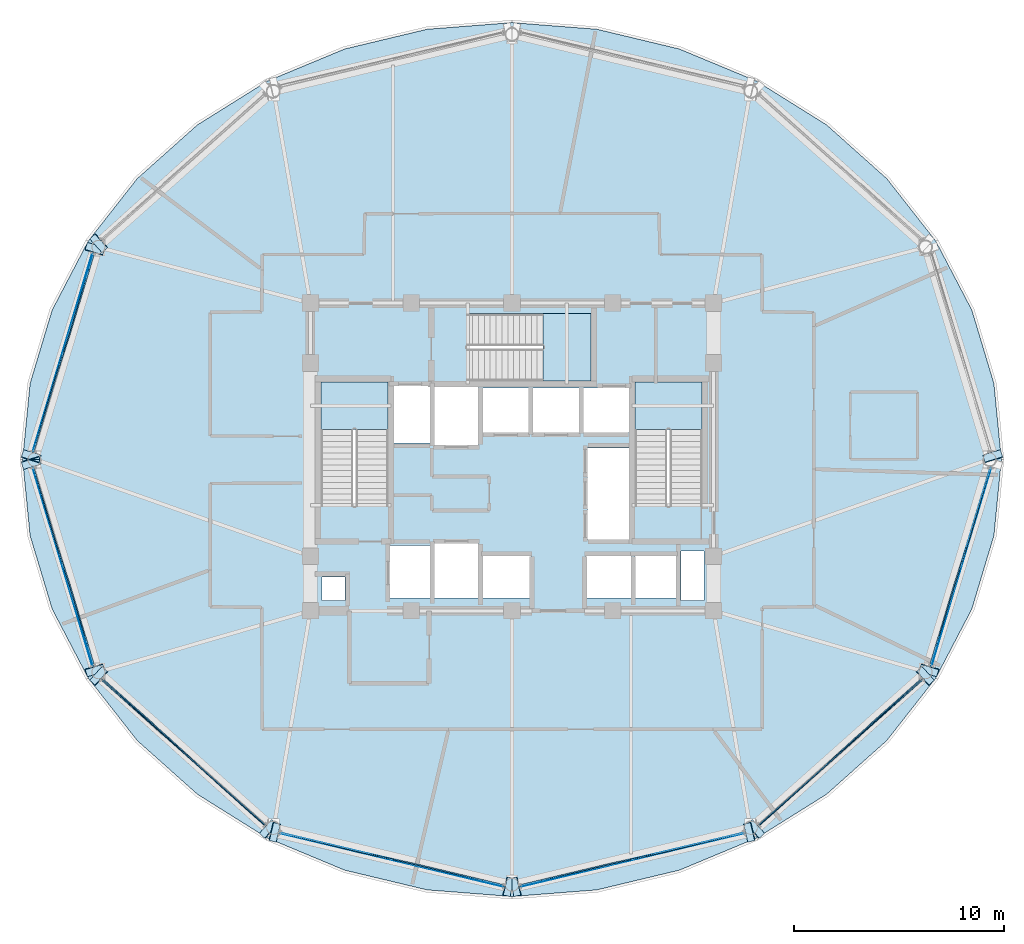
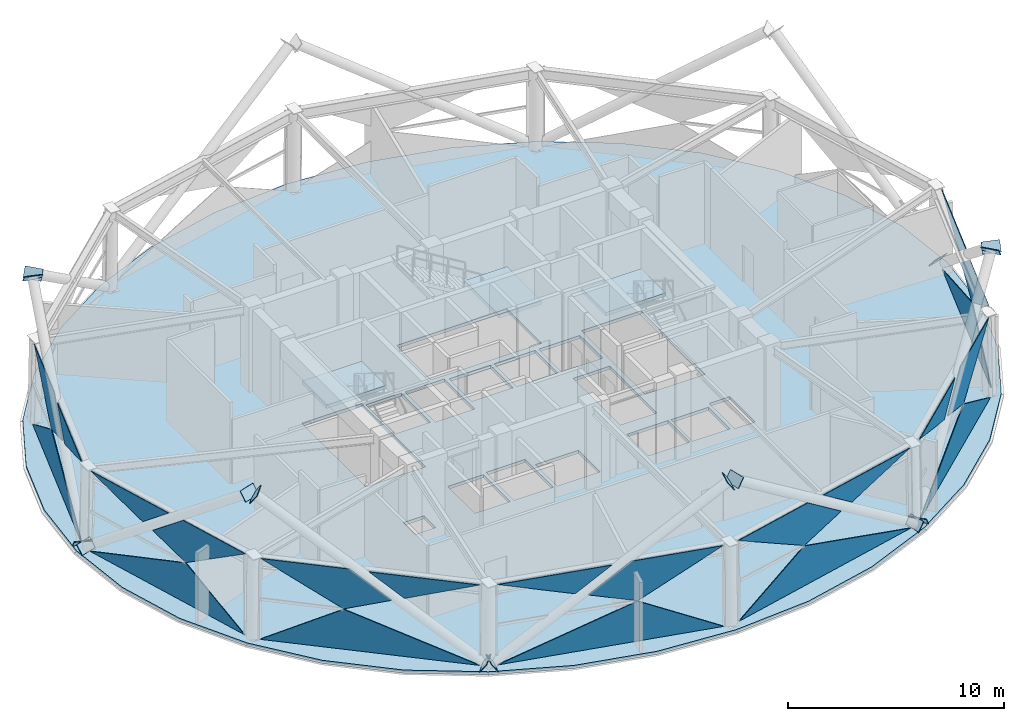
# One storey, part 8 of 16: 36 plates, 4 slabs, 10 elements without a shape of their own.
"""IFC4 building model written with IfcOpenShell, lengths in metres."""

from ifc_helpers import new_model, si_unit, direction, frame, origin, place, context, subcontext, project, spatial, polyline, outline, extrude, material, layer, layer_set, type_object, element, aggregate, save


model = new_model("IFC4")

# Units and contexts
model_context = context("Model", 3, precision=1e-05, world=origin(), true_north=direction((0.0, 1.0)))
body_context = subcontext(model_context, "Body", "Model", "MODEL_VIEW")
ifc_project = project(units=[si_unit("LENGTHUNIT", "METRE"), si_unit("AREAUNIT", "SQUARE_METRE"), si_unit("VOLUMEUNIT", "CUBIC_METRE"), si_unit("PLANEANGLEUNIT", "RADIAN"), si_unit("MASSUNIT", "GRAM", prefix="KILO")], contexts=[model_context])

# Site, building, storey
site_placement = place(None, origin())
site = spatial("IfcSite", under=ifc_project, at=site_placement, CompositionType="ELEMENT")
building_placement = place(site_placement, origin())
building = spatial("IfcBuilding", under=site, at=building_placement, Name="Vantalir Tower", CompositionType="ELEMENT")
storey_placement = place(building_placement, frame((0.0, 0.0, 181.35009765625)))
storey = spatial("IfcBuildingStorey", under=building, at=storey_placement, Name="L45", CompositionType="ELEMENT", Elevation=181.35009765625)

# Curtain wall, plates
ifc_material_1 = material(Name="Champagne-silver PVDF aluminium and double-silver Low-E glass", Category="aluminium")
ifc_layer_1 = layer(ifc_material_1, 0.22998046875)
ifc_layer_set_1 = layer_set([ifc_layer_1], Name="Champagne-silver PVDF aluminium and double-silver Low-E glass")
curtain_wall_type = type_object("IfcCurtainWallType", Name="CW-SKYLOBBY", PredefinedType="USERDEFINED", material=ifc_layer_set_1)
curtain_wall_1_placement = place(storey_placement, origin())
curtain_wall_1 = element("IfcCurtainWall", 1, at=curtain_wall_1_placement, inside=storey, type_object=curtain_wall_type, Name="L45 Quilted Pyramid-Diamond Curtain Wall S06", ObjectType="UNITISED CURTAIN WALL", PredefinedType="USERDEFINED")
ifc_material_2 = material(Name="High-clarity sky-lobby Low-E glass IGU", Category="glass")
ifc_layer_2 = layer(ifc_material_2, 0.035888671875)
ifc_layer_set_2 = layer_set([ifc_layer_2], Name="High-clarity sky-lobby Low-E glass IGU")
plate_type_1 = type_object("IfcPlateType", Name="CWP-IGU-LIGHT-36", PredefinedType="CURTAIN_PANEL", material=ifc_layer_set_2)
plate_1_placement = place(storey_placement, frame((11.5107421875, 34.815185546875, 0.04736328125), z_axis=(-0.957650582327, 0.287888962961, 0.005030623629), x_axis=(-0.287892725492, -0.957662663985, -2.4850473e-05)))
plate_1 = element("IfcPlate", 2, at=plate_1_placement, type_object=plate_type_1, Name="CW-L45-S06 Pyramid Diamond Facet 1L", PredefinedType="CURTAIN_PANEL", context=body_context, shape_type="SweptSolid", body=[
    extrude(outline(polyline([(0.0, 0.0), (9.824385579021772, -1.0299920638612292e-18), (3.7366767735641315, 2.2493889000218026), (0.0, 0.0)])), origin(), (0.0, 0.0, -1.0), 0.035888671875),
])
plate_2_placement = place(storey_placement, frame((11.57470703125, 34.7822265625, 4.572509765625), z_axis=(-0.957337172572, 0.287778890921, 0.026245913065), x_axis=(-0.287878081494, -0.957667066467, -8.50548e-07)))
plate_2 = element("IfcPlate", 3, at=plate_2_placement, type_object=plate_type_1, Name="CW-L45-S06 Pyramid Diamond Facet 2U", PredefinedType="CURTAIN_PANEL", context=body_context, shape_type="SweptSolid", body=[
    extrude(outline(polyline([(0.0, 0.0), (3.950730105154388, -3.469446951953614e-18), (5.8487267460215, -1.4616801904319743), (3.723748621111422, -2.2500428734027684), (0.0, 0.0)])), origin(), (0.0, 0.0, -1.0), 0.035888671875),
])
plate_3_placement = place(storey_placement, frame((10.1396484375, 30.1474609375, 4.57373046875), z_axis=(-0.957333203155, 0.287793042952, 0.026235521055), x_axis=(-0.287892138455, -0.957662840783, 0.0)))
plate_3 = element("IfcPlate", 4, at=plate_3_placement, type_object=plate_type_1, Name="CW-L45-S06 Pyramid Diamond Facet 2U Infill Light", PredefinedType="CURTAIN_PANEL", context=body_context, shape_type="SweptSolid", body=[
    extrude(outline(polyline([(0.0, 0.0), (4.938067663130494, -6.938893903907228e-18), (1.6051260198478174, -1.2362653793027343), (0.0, 0.0)])), origin(), (0.0, 0.0, -1.0), 0.035888671875),
])
aggregate(curtain_wall_1, [plate_1, plate_2, plate_3])

curtain_wall_2_placement = place(storey_placement, origin())
curtain_wall_2 = element("IfcCurtainWall", 5, at=curtain_wall_2_placement, inside=storey, type_object=curtain_wall_type, Name="L45 Quilted Pyramid-Diamond Curtain Wall S07", ObjectType="UNITISED CURTAIN WALL", PredefinedType="USERDEFINED")
plate_4_placement = place(storey_placement, frame((8.682373046875, 24.59326171875, 0.047119140625), z_axis=(-0.957650582327, -0.287888962961, 0.005030623629), x_axis=(0.287892725492, -0.957662663985, 2.4850473e-05)))
plate_4 = element("IfcPlate", 6, at=plate_4_placement, type_object=plate_type_1, Name="CW-L45-S07 Pyramid Diamond Facet 1L", PredefinedType="CURTAIN_PANEL", context=body_context, shape_type="SweptSolid", body=[
    extrude(outline(polyline([(0.0, 0.0), (9.824385579021772, 1.0299920638612292e-18), (6.08770880545764, 2.2493889000218026), (0.0, 0.0)])), origin(), (0.0, 0.0, -1.0), 0.035888671875),
])
plate_5_placement = place(storey_placement, frame((10.437255859375, 19.001220703125, 4.572509765625), z_axis=(-0.957337172572, -0.287778890921, 0.026245913065), x_axis=(0.287878081494, -0.957667066467, 8.50548e-07)))
plate_5 = element("IfcPlate", 7, at=plate_5_placement, type_object=plate_type_1, Name="CW-L45-S07 Pyramid Diamond Facet 2U", PredefinedType="CURTAIN_PANEL", context=body_context, shape_type="SweptSolid", body=[
    extrude(outline(polyline([(0.0, 0.0), (3.950730105154388, 3.469446951953614e-18), (0.22698148404296628, -2.2500428734027684), (-1.8979966408671116, -1.4616801904319743), (0.0, 0.0)])), origin(), (0.0, 0.0, -1.0), 0.035888671875),
])
plate_6_placement = place(storey_placement, frame((8.718017578125, 24.58154296875, 4.57373046875), z_axis=(-0.957333203155, -0.287793042952, 0.026235521055), x_axis=(0.287892138455, -0.957662840783, 0.0)))
plate_6 = element("IfcPlate", 8, at=plate_6_placement, type_object=plate_type_1, Name="CW-L45-S07 Pyramid Diamond Facet 2U Infill Light", PredefinedType="CURTAIN_PANEL", context=body_context, shape_type="SweptSolid", body=[
    extrude(outline(polyline([(0.0, 0.0), (4.938067663130494, 6.938893903907228e-18), (3.332941643282677, -1.2362653793027343), (0.0, 0.0)])), origin(), (0.0, 0.0, -1.0), 0.035888671875),
])
aggregate(curtain_wall_2, [plate_4, plate_5, plate_6])

curtain_wall_3_placement = place(storey_placement, origin())
curtain_wall_3 = element("IfcCurtainWall", 9, at=curtain_wall_3_placement, inside=storey, type_object=curtain_wall_type, Name="L45 Quilted Pyramid-Diamond Curtain Wall S08", ObjectType="UNITISED CURTAIN WALL", PredefinedType="USERDEFINED")
plate_7_placement = place(storey_placement, frame((11.9501953125, 14.495361328125, 0.047119140625), z_axis=(-0.66529977249, -0.746563470884, 0.004381400138), x_axis=(0.746570568102, -0.665306234972, -2.3480015e-05)))
plate_7 = element("IfcPlate", 10, at=plate_7_placement, type_object=plate_type_1, Name="CW-L45-S08 Pyramid Diamond Facet 1L", PredefinedType="CURTAIN_PANEL", context=body_context, shape_type="SweptSolid", body=[
    extrude(outline(polyline([(0.0, 0.0), (10.39780516962434, -4.391018798566293e-18), (3.9565602975785525, 2.2498703552015504), (0.0, 0.0)])), origin(), (0.0, 0.0, -1.0), 0.035888671875),
])
plate_8_placement = place(storey_placement, frame((12.01416015625, 14.5283203125, 4.572509765625), z_axis=(-0.665089926382, -0.746335563904, 0.025270850345), x_axis=(0.746574972522, -0.665301290375, 5.8557415e-05)))
plate_8 = element("IfcPlate", 11, at=plate_8_placement, type_object=plate_type_1, Name="CW-L45-S08 Pyramid Diamond Facet 2U", PredefinedType="CURTAIN_PANEL", context=body_context, shape_type="SweptSolid", body=[
    extrude(outline(polyline([(0.0, 0.0), (4.1896639254692545, 1.2739375526704677e-17), (6.186570093083291, -1.4610339444227927), (3.9308566706425703, -2.2504594124690516), (0.0, 0.0)])), origin(), (0.0, 0.0, -1.0), 0.035888671875),
])
plate_9_placement = place(storey_placement, frame((15.81005859375, 11.092041015625, 4.57373046875), z_axis=(-0.665111490281, -0.746316276484, 0.025272929238), x_axis=(0.74655551728, -0.665323122587, 4.6578208e-05)))
plate_9 = element("IfcPlate", 12, at=plate_9_placement, type_object=plate_type_1, Name="CW-L45-S08 Pyramid Diamond Facet 2U Infill Light", PredefinedType="CURTAIN_PANEL", context=body_context, shape_type="SweptSolid", body=[
    extrude(outline(polyline([(0.0, 0.0), (5.241520351703728, -8.998878031629687e-18), (1.6960296798621823, -1.240709671291705), (0.0, 0.0)])), origin(), (0.0, 0.0, -1.0), 0.035888671875),
])
aggregate(curtain_wall_3, [plate_7, plate_8, plate_9])

curtain_wall_4_placement = place(storey_placement, origin())
curtain_wall_4 = element("IfcCurtainWall", 13, at=curtain_wall_4_placement, inside=storey, type_object=curtain_wall_type, Name="L45 Quilted Pyramid-Diamond Curtain Wall S09", ObjectType="UNITISED CURTAIN WALL", PredefinedType="USERDEFINED")
plate_10_placement = place(storey_placement, frame((20.443359375, 7.1962890625, 0.046875), z_axis=(-0.232257506184, -0.972647683537, 0.003596460953), x_axis=(0.972653992364, -0.232258930164, 2.2311136e-05)))
plate_10 = element("IfcPlate", 14, at=plate_10_placement, type_object=plate_type_1, Name="CW-L45-S09 Pyramid Diamond Facet 1L", PredefinedType="CURTAIN_PANEL", context=body_context, shape_type="SweptSolid", body=[
    extrude(outline(polyline([(0.0, 0.0), (10.94254547910628, -6.505213034913027e-19), (6.780262281957122, 2.249863275713853), (0.0, 0.0)])), origin(), (0.0, 0.0, -1.0), 0.035888671875),
])
plate_11_placement = place(storey_placement, frame((26.782470703125, 5.74853515625, 4.57275390625), z_axis=(-0.232166412142, -0.972359671957, 0.024807769445), x_axis=(0.972659013302, -0.232237903541, -7.39582e-07)))
plate_11 = element("IfcPlate", 15, at=plate_11_placement, type_object=plate_type_1, Name="CW-L45-S09 Pyramid Diamond Facet 2U", PredefinedType="CURTAIN_PANEL", context=body_context, shape_type="SweptSolid", body=[
    extrude(outline(polyline([(0.0, 0.0), (4.425219721295982, 3.469446951953614e-18), (0.2781401204367248, -2.2504482517808433), (-2.0949771519210647, -1.4601710014275817), (0.0, 0.0)])), origin(), (0.0, 0.0, -1.0), 0.035888671875),
])
plate_12_placement = place(storey_placement, frame((20.470947265625, 7.21435546875, 4.573974609375), z_axis=(-0.232185028392, -0.972359673645, 0.024632857319), x_axis=(0.972654556851, -0.232256563048, -4.4247773e-05)))
plate_12 = element("IfcPlate", 16, at=plate_12_placement, type_object=plate_type_1, Name="CW-L45-S09 Pyramid Diamond Facet 2U Infill Light", PredefinedType="CURTAIN_PANEL", context=body_context, shape_type="SweptSolid", body=[
    extrude(outline(polyline([(0.0, 0.0), (5.5175798858369705, 9.486769009248164e-19), (3.7337806331329984, -1.2433761359092874), (0.0, 0.0)])), origin(), (0.0, 0.0, -1.0), 0.035888671875),
])
aggregate(curtain_wall_4, [plate_10, plate_11, plate_12])

curtain_wall_5_placement = place(storey_placement, origin())
curtain_wall_5 = element("IfcCurtainWall", 17, at=curtain_wall_5_placement, inside=storey, type_object=curtain_wall_type, Name="L45 Quilted Pyramid-Diamond Curtain Wall S10", ObjectType="UNITISED CURTAIN WALL", PredefinedType="USERDEFINED")
plate_13_placement = place(storey_placement, frame((31.913330078125, 4.65478515625, 0.047119140625), z_axis=(0.232257506184, -0.972647683537, 0.003596460953), x_axis=(0.972653992364, 0.232258930164, -2.2311136e-05)))
plate_13 = element("IfcPlate", 18, at=plate_13_placement, type_object=plate_type_1, Name="CW-L45-S10 Pyramid Diamond Facet 1L", PredefinedType="CURTAIN_PANEL", context=body_context, shape_type="SweptSolid", body=[
    extrude(outline(polyline([(0.0, 0.0), (10.94254547910628, 6.505213034913027e-19), (4.162283197149159, 2.2498632757138535), (0.0, 0.0)])), origin(), (0.0, 0.0, -1.0), 0.035888671875),
])
plate_14_placement = place(storey_placement, frame((31.913330078125, 4.720703125, 4.57275390625), z_axis=(0.232166412142, -0.972359671957, 0.024807769445), x_axis=(0.972659013302, 0.232237903541, 7.39582e-07)))
plate_14 = element("IfcPlate", 19, at=plate_14_placement, type_object=plate_type_1, Name="CW-L45-S10 Pyramid Diamond Facet 2U", PredefinedType="CURTAIN_PANEL", context=body_context, shape_type="SweptSolid", body=[
    extrude(outline(polyline([(0.0, 0.0), (4.425219721295982, -3.469446951953614e-18), (6.5201968732170466, -1.4601710014275817), (4.147079600859256, -2.2504482517808433), (0.0, 0.0)])), origin(), (0.0, 0.0, -1.0), 0.035888671875),
])
plate_15_placement = place(storey_placement, frame((37.162353515625, 5.932861328125, 4.57373046875), z_axis=(0.232185028392, -0.972359673645, 0.024632857319), x_axis=(0.972654556851, 0.232256563048, 4.4247773e-05)))
plate_15 = element("IfcPlate", 20, at=plate_15_placement, type_object=plate_type_1, Name="CW-L45-S10 Pyramid Diamond Facet 2U Infill Light", PredefinedType="CURTAIN_PANEL", context=body_context, shape_type="SweptSolid", body=[
    extrude(outline(polyline([(0.0, 0.0), (5.5175798858369705, -9.486769009248164e-19), (1.783799252703972, -1.2433761359092874), (0.0, 0.0)])), origin(), (0.0, 0.0, -1.0), 0.035888671875),
])
aggregate(curtain_wall_5, [plate_13, plate_14, plate_15])

curtain_wall_6_placement = place(storey_placement, origin())
curtain_wall_6 = element("IfcCurtainWall", 21, at=curtain_wall_6_placement, inside=storey, type_object=curtain_wall_type, Name="L45 Quilted Pyramid-Diamond Curtain Wall S11", ObjectType="UNITISED CURTAIN WALL", PredefinedType="USERDEFINED")
plate_16_placement = place(storey_placement, frame((43.287109375, 7.57763671875, 0.046875), z_axis=(0.66529977249, -0.746563470884, 0.004381400138), x_axis=(0.746570568102, 0.665306234972, 2.3480015e-05)))
plate_16 = element("IfcPlate", 22, at=plate_16_placement, type_object=plate_type_1, Name="CW-L45-S11 Pyramid Diamond Facet 1L", PredefinedType="CURTAIN_PANEL", context=body_context, shape_type="SweptSolid", body=[
    extrude(outline(polyline([(0.0, 0.0), (10.39780516962434, 4.391018798566293e-18), (6.441244872045787, 2.2498703552015504), (0.0, 0.0)])), origin(), (0.0, 0.0, -1.0), 0.035888671875),
])
plate_17_placement = place(storey_placement, frame((47.85791015625, 11.740966796875, 4.57275390625), z_axis=(0.665089926382, -0.746335563904, 0.025270850345), x_axis=(0.746574972522, 0.665301290375, -5.8557415e-05)))
plate_17 = element("IfcPlate", 23, at=plate_17_placement, type_object=plate_type_1, Name="CW-L45-S11 Pyramid Diamond Facet 2U", PredefinedType="CURTAIN_PANEL", context=body_context, shape_type="SweptSolid", body=[
    extrude(outline(polyline([(0.0, 0.0), (4.1896639254692545, -1.2739375526704677e-17), (0.25880725482668315, -2.250459412469052), (-1.9969061676140374, -1.4610339444227929), (0.0, 0.0)])), origin(), (0.0, 0.0, -1.0), 0.035888671875),
])
plate_18_placement = place(storey_placement, frame((43.27685546875, 7.604736328125, 4.573974609375), z_axis=(0.665111490281, -0.746316276484, 0.025272929238), x_axis=(0.74655551728, 0.665323122587, -4.6578208e-05)))
plate_18 = element("IfcPlate", 24, at=plate_18_placement, type_object=plate_type_1, Name="CW-L45-S11 Pyramid Diamond Facet 2U Infill Light", PredefinedType="CURTAIN_PANEL", context=body_context, shape_type="SweptSolid", body=[
    extrude(outline(polyline([(0.0, 0.0), (5.241520351703728, 8.998878031629687e-18), (3.5454906718415455, -1.240709671291705), (0.0, 0.0)])), origin(), (0.0, 0.0, -1.0), 0.035888671875),
])
aggregate(curtain_wall_6, [plate_16, plate_17, plate_18])

curtain_wall_7_placement = place(storey_placement, origin())
curtain_wall_7 = element("IfcCurtainWall", 25, at=curtain_wall_7_placement, inside=storey, type_object=curtain_wall_type, Name="L45 Quilted Pyramid-Diamond Curtain Wall S12", ObjectType="UNITISED CURTAIN WALL", PredefinedType="USERDEFINED")
plate_19_placement = place(storey_placement, frame((51.4892578125, 15.184814453125, 0.04736328125), z_axis=(0.957650582327, -0.287888962961, 0.005030623629), x_axis=(0.287892725492, 0.957662663985, -2.4850473e-05)))
plate_19 = element("IfcPlate", 26, at=plate_19_placement, type_object=plate_type_1, Name="CW-L45-S12 Pyramid Diamond Facet 1L", PredefinedType="CURTAIN_PANEL", context=body_context, shape_type="SweptSolid", body=[
    extrude(outline(polyline([(0.0, 0.0), (9.824385579021772, -1.0299920638612292e-18), (3.7366767735641315, 2.2493889000218026), (0.0, 0.0)])), origin(), (0.0, 0.0, -1.0), 0.035888671875),
])
plate_20_placement = place(storey_placement, frame((51.42529296875, 15.2177734375, 4.572509765625), z_axis=(0.957337172572, -0.287778890921, 0.026245913065), x_axis=(0.287878081494, 0.957667066467, -8.50548e-07)))
plate_20 = element("IfcPlate", 27, at=plate_20_placement, type_object=plate_type_1, Name="CW-L45-S12 Pyramid Diamond Facet 2U", PredefinedType="CURTAIN_PANEL", context=body_context, shape_type="SweptSolid", body=[
    extrude(outline(polyline([(0.0, 0.0), (3.950730105154388, -3.469446951953614e-18), (5.8487267460215, -1.4616801904319743), (3.723748621111422, -2.2500428734027684), (0.0, 0.0)])), origin(), (0.0, 0.0, -1.0), 0.035888671875),
])
plate_21_placement = place(storey_placement, frame((52.8603515625, 19.8525390625, 4.57373046875), z_axis=(0.957333203155, -0.287793042952, 0.026235521055), x_axis=(0.287892138455, 0.957662840783, 0.0)))
plate_21 = element("IfcPlate", 28, at=plate_21_placement, type_object=plate_type_1, Name="CW-L45-S12 Pyramid Diamond Facet 2U Infill Light", PredefinedType="CURTAIN_PANEL", context=body_context, shape_type="SweptSolid", body=[
    extrude(outline(polyline([(0.0, 0.0), (4.938067663130494, -6.938893903907228e-18), (1.6051260198478174, -1.2362653793027343), (0.0, 0.0)])), origin(), (0.0, 0.0, -1.0), 0.035888671875),
])
aggregate(curtain_wall_7, [plate_19, plate_20, plate_21])

# Plates
ifc_material_3 = material(Name="Steel S460", Category="steel")
ifc_layer_3 = layer(ifc_material_3, 0.035888671875)
ifc_layer_set_3 = layer_set([ifc_layer_3], Name="Steel S460")
plate_type_2 = type_object("IfcPlateType", Name="PLT-KN-Z2", PredefinedType="USERDEFINED", material=ifc_layer_set_3)
plate_22_placement = place(storey_placement, frame((54.75537109375, 25.47119140625, -0.0107421875), z_axis=(-0.233090955748, 0.757188441821, 0.61019199431), x_axis=(-0.955754530823, -0.29416538325, -6.4092727e-05)))
element("IfcPlate", 29, at=plate_22_placement, inside=storey, type_object=plate_type_2, Name="Node Cap Plate MEM-DG-L45-R01L Start", ObjectType="FLANGE_PLATE", PredefinedType="USERDEFINED", context=body_context, shape_type="SweptSolid", body=[
    extrude(outline(polyline([(0.0, 0.0), (0.8799779455399647, -2.7755575615628914e-17), (0.8800856527035597, 0.5800277565836442), (3.588944307486943e-05, 0.5798853716464692), (0.0, 0.0)])), origin(), (0.0, 0.0, -1.0), 0.035888671875),
])
plate_23_placement = place(storey_placement, frame((50.875244140625, 14.916748046875, 7.94287109375), z_axis=(-0.233137047326, -0.757338168825, 0.609988536945), x_axis=(0.955725494629, -0.294259706399, -6.4078795e-05)))
element("IfcPlate", 30, at=plate_23_placement, inside=storey, type_object=plate_type_2, Name="Node Cap Plate MEM-DG-L45-R01R End", ObjectType="FLANGE_PLATE", PredefinedType="USERDEFINED", context=body_context, shape_type="SweptSolid", body=[
    extrude(outline(polyline([(0.0, 0.0), (0.8800497747769306, 0.0), (0.8798482238178725, 0.580221148244098), (-0.000129710210425589, 0.5800788224000919), (0.0, 0.0)])), origin(), (0.0, 0.0, -1.0), 0.035888671875),
])
plate_24_placement = place(storey_placement, frame((11.39013671875, 35.5048828125, 7.9423828125), z_axis=(-0.59934813753, -0.540566562301, 0.590397833466), x_axis=(0.66972972392, -0.742604938671, -4.4268734e-05)))
element("IfcPlate", 31, at=plate_24_placement, inside=storey, type_object=plate_type_2, Name="Node Cap Plate MEM-DG-L45-R13L End", ObjectType="FLANGE_PLATE", PredefinedType="USERDEFINED", context=body_context, shape_type="SweptSolid", body=[
    extrude(outline(polyline([(0.0, 0.0), (0.8800490660070104, -5.551115123125783e-17), (0.8799818840104608, 0.5802174334096007), (0.00011411803730558558, 0.5801209049804927), (0.0, 0.0)])), origin(), (0.0, 0.0, -1.0), 0.035888671875),
])
plate_25_placement = place(storey_placement, frame((8.24462890625, 24.52880859375, -0.0107421875), z_axis=(0.233090955748, -0.757188441821, 0.61019199431), x_axis=(0.955754530823, 0.29416538325, -6.4092727e-05)))
element("IfcPlate", 32, at=plate_25_placement, inside=storey, type_object=plate_type_2, Name="Node Cap Plate MEM-DG-L45-R19L Start", ObjectType="FLANGE_PLATE", PredefinedType="USERDEFINED", context=body_context, shape_type="SweptSolid", body=[
    extrude(outline(polyline([(0.0, 0.0), (0.8799779455399647, -2.7755575615628914e-17), (0.8800856527035597, 0.5800277565836442), (3.588944307486943e-05, 0.5798853716464692), (0.0, 0.0)])), origin(), (0.0, 0.0, -1.0), 0.035888671875),
])
plate_26_placement = place(storey_placement, frame((11.28369140625, 14.65771484375, 7.94287109375), z_axis=(0.233137047326, -0.757338168825, 0.609988536945), x_axis=(0.955725494629, 0.294259706399, 6.4078795e-05)))
element("IfcPlate", 33, at=plate_26_placement, inside=storey, type_object=plate_type_2, Name="Node Cap Plate MEM-DG-L45-R19L End", ObjectType="FLANGE_PLATE", PredefinedType="USERDEFINED", context=body_context, shape_type="SweptSolid", body=[
    extrude(outline(polyline([(0.0, 0.0), (0.8800497747769306, 0.0), (0.8801794849873562, 0.5800788224000918), (0.00020155095905806804, 0.580221148244098), (0.0, 0.0)])), origin(), (0.0, 0.0, -1.0), 0.035888671875),
])
plate_27_placement = place(storey_placement, frame((9.085693359375, 25.21240234375, -0.0107421875), z_axis=(0.233090955748, 0.757188441821, 0.61019199431), x_axis=(-0.955754530823, 0.29416538325, 6.4092727e-05)))
element("IfcPlate", 34, at=plate_27_placement, inside=storey, type_object=plate_type_2, Name="Node Cap Plate MEM-DG-L45-R19R Start", ObjectType="FLANGE_PLATE", PredefinedType="USERDEFINED", context=body_context, shape_type="SweptSolid", body=[
    extrude(outline(polyline([(0.0, 0.0), (0.8799779455399647, 2.7755575615628914e-17), (0.8799420560968898, 0.5798853716464692), (-0.00010770716359497314, 0.5800277565836444), (0.0, 0.0)])), origin(), (0.0, 0.0, -1.0), 0.035888671875),
])
plate_28_placement = place(storey_placement, frame((12.124755859375, 35.083251953125, 7.94287109375), z_axis=(0.233137047326, 0.757338168825, 0.609988536945), x_axis=(-0.955725494629, 0.294259706399, -6.4078795e-05)))
element("IfcPlate", 35, at=plate_28_placement, inside=storey, type_object=plate_type_2, Name="Node Cap Plate MEM-DG-L45-R19R End", ObjectType="FLANGE_PLATE", PredefinedType="USERDEFINED", context=body_context, shape_type="SweptSolid", body=[
    extrude(outline(polyline([(0.0, 0.0), (0.8800497747769306, 0.0), (0.8798482238178725, 0.580221148244098), (-0.000129710210425589, 0.5800788224000919), (0.0, 0.0)])), origin(), (0.0, 0.0, -1.0), 0.035888671875),
])
plate_29_placement = place(storey_placement, frame((20.27392578125, 6.786376953125, -0.027587890625), z_axis=(0.798787549976, -0.186129672662, 0.572096316154), x_axis=(0.226945842217, 0.973907379827, -1.4772812e-05)))
element("IfcPlate", 36, at=plate_29_placement, inside=storey, type_object=plate_type_2, Name="Node Cap Plate MEM-DG-L45-R25L Start", ObjectType="FLANGE_PLATE", PredefinedType="USERDEFINED", context=body_context, shape_type="SweptSolid", body=[
    extrude(outline(polyline([(0.0, 0.0), (0.8798966313787882, 1.3877787807814457e-17), (0.8800021716769185, 0.5801645236146671), (-0.00013223005827271567, 0.5801328227649022), (0.0, 0.0)])), origin(), (0.0, 0.0, -1.0), 0.035888671875),
])
plate_30_placement = place(storey_placement, frame((31.408203125, 4.191650390625, 7.942138671875), z_axis=(0.798974841024, -0.186173314331, 0.571820514184), x_axis=(0.226945832543, 0.973907382082, -1.4769152e-05)))
element("IfcPlate", 37, at=plate_30_placement, inside=storey, type_object=plate_type_2, Name="Node Cap Plate MEM-DG-L45-R25L End", ObjectType="FLANGE_PLATE", PredefinedType="USERDEFINED", context=body_context, shape_type="SweptSolid", body=[
    extrude(outline(polyline([(0.0, 0.0), (0.8798966313786505, -1.3877787807814457e-17), (0.8800575834125799, 0.580028521884285), (-7.68183230240713e-05, 0.5799968363171859), (0.0, 0.0)])), origin(), (0.0, 0.0, -1.0), 0.035888671875),
])
plate_31_placement = place(storey_placement, frame((20.060791015625, 7.859619140625, -0.01953125), z_axis=(-0.599239158898, 0.54046827184, 0.590598406346), x_axis=(-0.669777838343, -0.742561543108, -4.4284844e-05)))
element("IfcPlate", 38, at=plate_31_placement, inside=storey, type_object=plate_type_2, Name="Node Cap Plate MEM-DG-L45-R25R Start", ObjectType="FLANGE_PLATE", PredefinedType="USERDEFINED", context=body_context, shape_type="SweptSolid", body=[
    extrude(outline(polyline([(0.0, 0.0), (0.8798677712690197, 5.551115123125783e-17), (0.8798712988379882, 0.5800204226768841), (-0.00017776187026711282, 0.5799238415584409), (0.0, 0.0)])), origin(), (0.0, 0.0, -1.0), 0.035888671875),
])
plate_32_placement = place(storey_placement, frame((11.9794921875, 15.148681640625, 7.9423828125), z_axis=(-0.59934813753, 0.540566562301, 0.590397833466), x_axis=(-0.66972972392, -0.742604938671, 4.4268734e-05)))
element("IfcPlate", 39, at=plate_32_placement, inside=storey, type_object=plate_type_2, Name="Node Cap Plate MEM-DG-L45-R25R End", ObjectType="FLANGE_PLATE", PredefinedType="USERDEFINED", context=body_context, shape_type="SweptSolid", body=[
    extrude(outline(polyline([(0.0, 0.0), (0.8800490660070104, 5.551115123125783e-17), (0.8799349479697048, 0.5801209049804927), (6.718199654957845e-05, 0.5802174334096009), (0.0, 0.0)])), origin(), (0.0, 0.0, -1.0), 0.035888671875),
])
plate_33_placement = place(storey_placement, frame((43.528564453125, 7.206298828125, -0.01953125), z_axis=(0.599239158898, 0.54046827184, 0.590598406346), x_axis=(-0.669777838343, 0.742561543108, 4.4284844e-05)))
element("IfcPlate", 40, at=plate_33_placement, inside=storey, type_object=plate_type_2, Name="Node Cap Plate MEM-DG-L45-R31L Start", ObjectType="FLANGE_PLATE", PredefinedType="USERDEFINED", context=body_context, shape_type="SweptSolid", body=[
    extrude(outline(polyline([(0.0, 0.0), (0.8798677712690197, -5.551115123125783e-17), (0.8800455331392868, 0.5799238415584409), (-3.527568968369657e-06, 0.5800204226768841), (0.0, 0.0)])), origin(), (0.0, 0.0, -1.0), 0.035888671875),
])
plate_34_placement = place(storey_placement, frame((51.60986328125, 14.4951171875, 7.9423828125), z_axis=(0.59934813753, 0.540566562301, 0.590397833466), x_axis=(-0.66972972392, 0.742604938671, -4.4268734e-05)))
element("IfcPlate", 41, at=plate_34_placement, inside=storey, type_object=plate_type_2, Name="Node Cap Plate MEM-DG-L45-R31L End", ObjectType="FLANGE_PLATE", PredefinedType="USERDEFINED", context=body_context, shape_type="SweptSolid", body=[
    extrude(outline(polyline([(0.0, 0.0), (0.8800490660070104, -5.551115123125783e-17), (0.8799818840104608, 0.5802174334096007), (0.00011411803730558558, 0.5801209049804927), (0.0, 0.0)])), origin(), (0.0, 0.0, -1.0), 0.035888671875),
])
plate_35_placement = place(storey_placement, frame((42.5263671875, 7.643310546875, -0.027587890625), z_axis=(-0.798787549976, -0.186129672662, 0.572096316154), x_axis=(0.226945842217, -0.973907379827, 1.4772812e-05)))
element("IfcPlate", 42, at=plate_35_placement, inside=storey, type_object=plate_type_2, Name="Node Cap Plate MEM-DG-L45-R31R Start", ObjectType="FLANGE_PLATE", PredefinedType="USERDEFINED", context=body_context, shape_type="SweptSolid", body=[
    extrude(outline(polyline([(0.0, 0.0), (0.8798966313787882, -1.3877787807814457e-17), (0.8800288614370609, 0.5801328227649022), (-0.00010554029813045345, 0.5801645236146671), (0.0, 0.0)])), origin(), (0.0, 0.0, -1.0), 0.035888671875),
])
plate_36_placement = place(storey_placement, frame((31.39208984375, 5.048583984375, 7.942138671875), z_axis=(-0.798974841024, -0.186173314331, 0.571820514184), x_axis=(0.226945832543, -0.973907382082, 1.4769152e-05)))
element("IfcPlate", 43, at=plate_36_placement, inside=storey, type_object=plate_type_2, Name="Node Cap Plate MEM-DG-L45-R31R End", ObjectType="FLANGE_PLATE", PredefinedType="USERDEFINED", context=body_context, shape_type="SweptSolid", body=[
    extrude(outline(polyline([(0.0, 0.0), (0.8798966313786505, 1.3877787807814457e-17), (0.8799734497016747, 0.5799968363171859), (-0.00016095203392946315, 0.580028521884285), (0.0, 0.0)])), origin(), (0.0, 0.0, -1.0), 0.035888671875),
])

# Stair, slab
ifc_material_4 = material(Name="Concrete C40/50", Category="concrete")
stair_type = type_object("IfcStairType", Name="STR-CORE-1450", PredefinedType="HALF_TURN_STAIR", material=ifc_material_4)
stair_1_placement = place(storey_placement, origin())
stair_1 = element("IfcStair", 44, at=stair_1_placement, inside=storey, type_object=stair_type, Name="L45 Core Exit Stair 1", PredefinedType="HALF_TURN_STAIR")
ifc_layer_4 = layer(ifc_material_4, 0.199951171875)
ifc_layer_set_4 = layer_set([ifc_layer_4], Name="Concrete C40/50")
slab_type_1 = type_object("IfcSlabType", Name="SL-LAND-200", PredefinedType="LANDING", material=ifc_layer_set_4)
slab_1_placement = place(storey_placement, frame((0.0, 0.0, 2.199951171875)))
slab_1 = element("IfcSlab", 45, at=slab_1_placement, type_object=slab_type_1, Name="ST1 landing 1", PredefinedType="LANDING", context=body_context, shape_type="SweptSolid", body=[
    extrude(outline(polyline([(25.60009765625, 26.429931640625), (25.60009765625, 28.699951171875), (22.39990234375, 28.699951171875), (22.39990234375, 26.429931640625), (25.60009765625, 26.429931640625)])), origin(), (0.0, 0.0, 1.0), 0.199951171875),
])
aggregate(stair_1, [slab_1])

stair_2_placement = place(storey_placement, origin())
stair_2 = element("IfcStair", 46, at=stair_2_placement, inside=storey, type_object=stair_type, Name="L45 Core Exit Stair 2", PredefinedType="HALF_TURN_STAIR")
slab_2_placement = place(storey_placement, frame((0.0, 0.0, 2.199951171875)))
slab_2 = element("IfcSlab", 47, at=slab_2_placement, type_object=slab_type_1, Name="ST2 landing 1", PredefinedType="LANDING", context=body_context, shape_type="SweptSolid", body=[
    extrude(outline(polyline([(40.550048828125, 26.429931640625), (40.550048828125, 28.699951171875), (37.35009765625, 28.699951171875), (37.35009765625, 26.429931640625), (40.550048828125, 26.429931640625)])), origin(), (0.0, 0.0, 1.0), 0.199951171875),
])
aggregate(stair_2, [slab_2])

stair_3_placement = place(storey_placement, origin())
stair_3 = element("IfcStair", 48, at=stair_3_placement, inside=storey, type_object=stair_type, Name="L45 Core Exit Stair 3", PredefinedType="HALF_TURN_STAIR")
slab_3_placement = place(storey_placement, frame((0.0, 0.0, 2.199951171875)))
slab_3 = element("IfcSlab", 49, at=slab_3_placement, type_object=slab_type_1, Name="ST3 landing 1", PredefinedType="LANDING", context=body_context, shape_type="SweptSolid", body=[
    extrude(outline(polyline([(32.97998046875, 28.75), (35.25, 28.75), (35.25, 31.949951171875), (32.97998046875, 31.949951171875), (32.97998046875, 28.75)])), origin(), (0.0, 0.0, 1.0), 0.199951171875),
])
aggregate(stair_3, [slab_3])

# Slab
ifc_layer_5 = layer(ifc_material_4, 0.179931640625)
ifc_layer_set_5 = layer_set([ifc_layer_5], Name="Concrete C40/50")
slab_type_2 = type_object("IfcSlabType", Name="SL-TWR-180", PredefinedType="FLOOR", material=ifc_layer_set_5)
slab_4_placement = place(storey_placement, frame((0.0, 0.0, -0.18017578125)))
element("IfcSlab", 50, at=slab_4_placement, inside=storey, type_object=slab_type_2, Name="L45 Primary Structural Slab", PredefinedType="FLOOR", context=body_context, shape_type="SweptSolid", body=[
    extrude(outline(polyline([(11.322021484375, 14.597900390625), (13.65087890625, 11.626953125), (16.52294921875, 9.06298828125), (19.85009765625, 6.98291015625), (23.531005859375, 5.450927734375), (27.4541015625, 4.511962890625), (31.5, 4.196044921875), (35.5458984375, 4.511962890625), (39.468994140625, 5.450927734375), (43.14990234375, 6.98291015625), (46.47705078125, 9.06298828125), (49.34912109375, 11.626953125), (51.677978515625, 14.597900390625), (53.39501953125, 17.885009765625), (54.446044921875, 21.386962890625), (54.800048828125, 25.0), (54.446044921875, 28.613037109375), (53.39501953125, 32.114990234375), (51.677978515625, 35.402099609375), (49.34912109375, 38.373046875), (46.47705078125, 40.93701171875), (43.14990234375, 43.01708984375), (39.468994140625, 44.549072265625), (35.5458984375, 45.488037109375), (31.5, 45.803955078125), (27.4541015625, 45.488037109375), (23.531005859375, 44.549072265625), (19.85009765625, 43.01708984375), (16.52294921875, 40.93701171875), (13.65087890625, 38.373046875), (11.322021484375, 35.402099609375), (9.60498046875, 32.114990234375), (8.553955078125, 28.613037109375), (8.199951171875, 25.0), (8.553955078125, 21.386962890625), (9.60498046875, 17.885009765625), (11.322021484375, 14.597900390625)]), holes=[polyline([(22.39990234375, 22.7900390625), (22.39990234375, 28.699951171875), (25.60009765625, 28.699951171875), (25.60009765625, 22.7900390625), (22.39990234375, 22.7900390625)]), polyline([(37.35009765625, 28.699951171875), (40.550048828125, 28.699951171875), (40.550048828125, 22.7900390625), (37.35009765625, 22.7900390625), (37.35009765625, 28.699951171875)]), polyline([(35.25, 28.75), (29.340087890625, 28.75), (29.340087890625, 31.949951171875), (35.25, 31.949951171875), (35.25, 28.75)]), polyline([(27.60009765625, 18.39990234375), (25.699951171875, 18.39990234375), (25.699951171875, 20.89990234375), (27.60009765625, 20.89990234375), (27.60009765625, 18.39990234375)]), polyline([(25.699951171875, 25.800048828125), (25.699951171875, 28.5), (27.60009765625, 28.5), (27.60009765625, 25.800048828125), (25.699951171875, 25.800048828125)]), polyline([(27.800048828125, 21.0), (29.89990234375, 21.0), (29.89990234375, 18.39990234375), (27.800048828125, 18.39990234375), (27.800048828125, 21.0)]), polyline([(29.89990234375, 28.5), (29.89990234375, 25.699951171875), (27.800048828125, 25.699951171875), (27.800048828125, 28.5), (29.89990234375, 28.5)]), polyline([(32.39990234375, 18.39990234375), (30.10009765625, 18.39990234375), (30.10009765625, 20.39990234375), (32.39990234375, 20.39990234375), (32.39990234375, 18.39990234375)]), polyline([(37.35009765625, 18.39990234375), (37.35009765625, 20.39990234375), (39.35009765625, 20.39990234375), (39.35009765625, 18.39990234375), (37.35009765625, 18.39990234375)]), polyline([(35.0, 20.39990234375), (37.199951171875, 20.39990234375), (37.199951171875, 18.39990234375), (35.0, 18.39990234375), (35.0, 20.39990234375)]), polyline([(32.300048828125, 28.39990234375), (32.300048828125, 26.300048828125), (30.10009765625, 26.300048828125), (30.10009765625, 28.39990234375), (32.300048828125, 28.39990234375)]), polyline([(34.699951171875, 26.300048828125), (32.5, 26.300048828125), (32.5, 28.39990234375), (34.699951171875, 28.39990234375), (34.699951171875, 26.300048828125)]), polyline([(34.89990234375, 26.300048828125), (34.89990234375, 28.39990234375), (37.10009765625, 28.39990234375), (37.10009765625, 26.300048828125), (34.89990234375, 26.300048828125)]), polyline([(35.10009765625, 25.56005859375), (37.06005859375, 25.56005859375), (37.06005859375, 21.199951171875), (35.10009765625, 21.199951171875), (35.10009765625, 25.56005859375)]), polyline([(23.550048828125, 19.39990234375), (23.550048828125, 18.300048828125), (22.449951171875, 18.300048828125), (22.449951171875, 19.39990234375), (23.550048828125, 19.39990234375)]), polyline([(40.64990234375, 18.300048828125), (39.550048828125, 18.300048828125), (39.550048828125, 20.64990234375), (40.64990234375, 20.64990234375), (40.64990234375, 18.300048828125)])]), origin(), (0.0, 0.0, 1.0), 0.18017578125),
])

save(model, "model.ifc")
